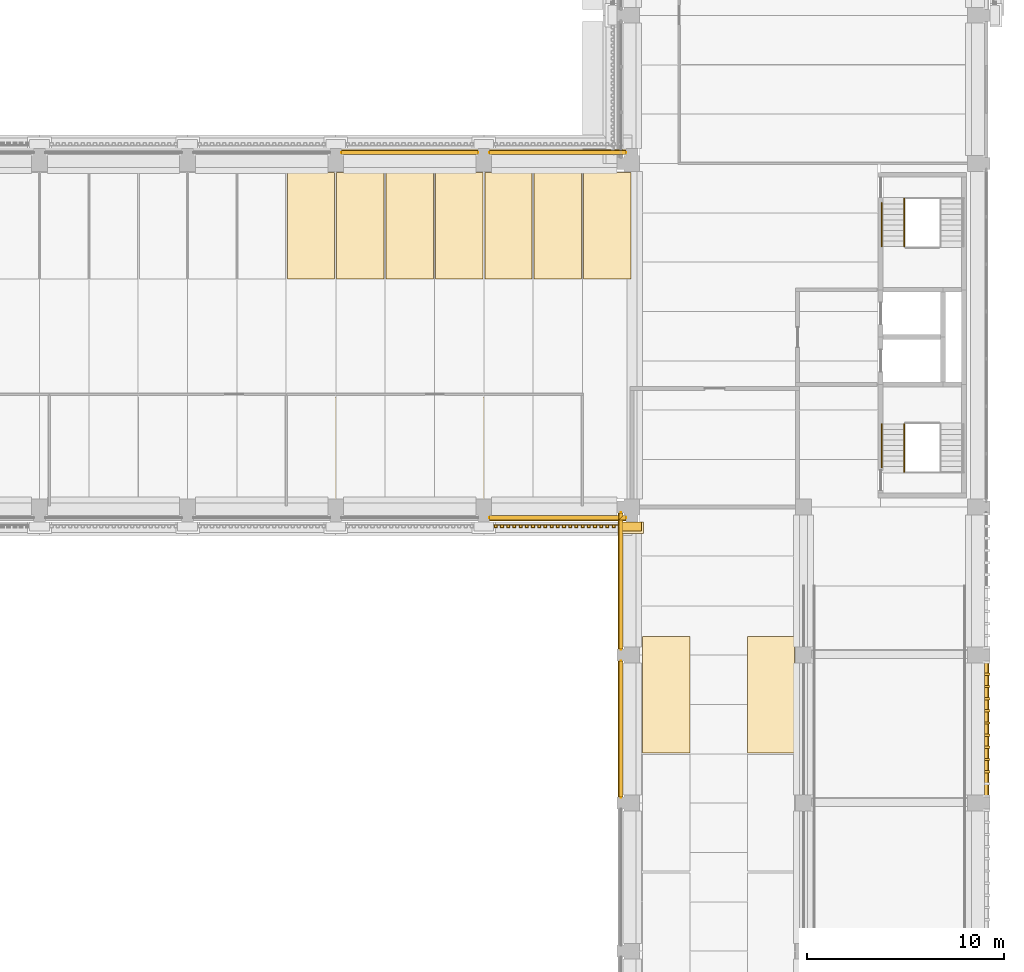
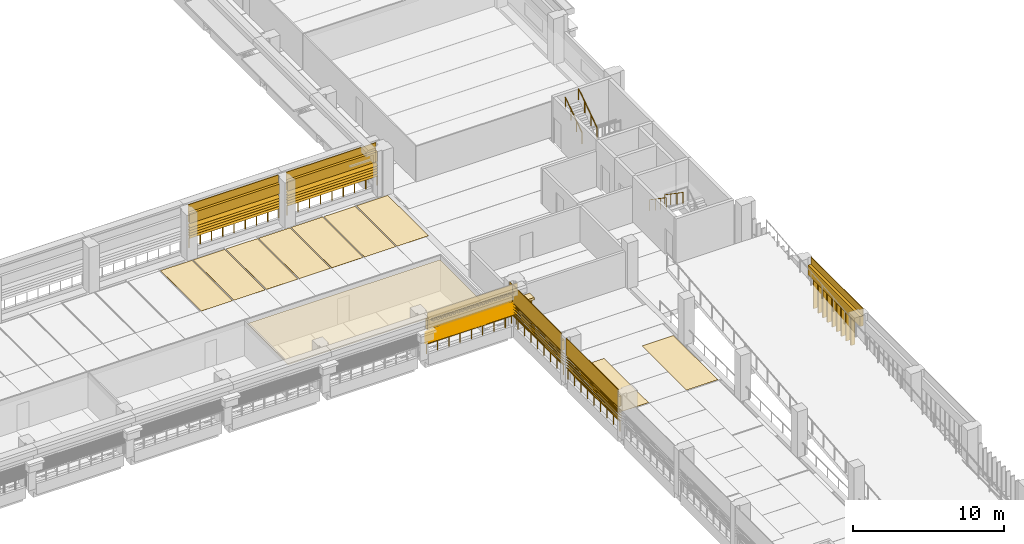
# One storey, part 61 of 71: 28 coverings, 25 shading devices, 9 railings.
"""IFC4 building model written with IfcOpenShell, lengths in metres."""

from ifc_helpers import new_model, si_unit, direction, frame, origin, origin_2d, place, context, subcontext, project, spatial, polyline, circle, outline, extrude, material, layer, layer_set, type_object, element, save


model = new_model("IFC4")

# Units and contexts
model_context = context("Model", 3, precision=1e-05, world=origin(), true_north=direction((0.0, 1.0)))
body_context = subcontext(model_context, "Body", "Model", "MODEL_VIEW")
ifc_project = project(units=[si_unit("LENGTHUNIT", "METRE"), si_unit("AREAUNIT", "SQUARE_METRE"), si_unit("VOLUMEUNIT", "CUBIC_METRE"), si_unit("PLANEANGLEUNIT", "RADIAN"), si_unit("MASSUNIT", "GRAM", prefix="KILO")], contexts=[model_context])

# Site, building, storey
site_placement = place(None, origin())
site = spatial("IfcSite", under=ifc_project, at=site_placement, CompositionType="ELEMENT")
building_placement = place(site_placement, origin())
building = spatial("IfcBuilding", under=site, at=building_placement, Name="Cour d'Honneur Mobility Palace", CompositionType="ELEMENT")
storey_placement = place(building_placement, frame((0.0, 0.0, 15.60009765625)))
storey = spatial("IfcBuildingStorey", under=building, at=storey_placement, Name="L04", CompositionType="ELEMENT", Elevation=15.60009765625)

# Railings
ifc_material_1 = material(Name="Painted steel", Category="steel")
railing_type_1 = type_object("IfcRailingType", Name="Balustrade", PredefinedType="BALUSTRADE", material=ifc_material_1)
railing_1_placement = place(storey_placement, frame((137.699951171875, 44.449951171875, 0.2998046875)))
element("IfcRailing", 1, at=railing_1_placement, inside=storey, type_object=railing_type_1, Name="Balustrade BAL-217", PredefinedType="BALUSTRADE", context=body_context, shape_type="SweptSolid", body=[
    extrude(circle(Radius=0.02392578125, at=origin_2d()), frame((0.0, 0.0, 0.77587890625), z_axis=(1.0, 0.0, 0.0), x_axis=(0.0, 1.0, 0.0)), (0.0, 0.0, 1.0), 6.900146484375),
    extrude(circle(Radius=0.02099609375, at=origin_2d()), origin(), (0.0, 0.0, 1.0), 0.751953125),
    extrude(circle(Radius=0.02099609375, at=origin_2d()), frame((0.862548828125, 0.0, 0.0)), (0.0, 0.0, 1.0), 0.751953125),
    extrude(circle(Radius=0.02099609375, at=origin_2d()), frame((1.72509765625, 0.0, 0.0)), (0.0, 0.0, 1.0), 0.751953125),
    extrude(circle(Radius=0.02099609375, at=origin_2d()), frame((2.587646484375, 0.0, 0.0)), (0.0, 0.0, 1.0), 0.751953125),
    extrude(circle(Radius=0.02099609375, at=origin_2d()), frame((3.4501953125, 0.0, 0.0)), (0.0, 0.0, 1.0), 0.751953125),
    extrude(circle(Radius=0.02099609375, at=origin_2d()), frame((4.3125, 0.0, 0.0)), (0.0, 0.0, 1.0), 0.751953125),
    extrude(circle(Radius=0.02099609375, at=origin_2d()), frame((5.175048828125, 0.0, 0.0)), (0.0, 0.0, 1.0), 0.751953125),
    extrude(circle(Radius=0.02099609375, at=origin_2d()), frame((6.03759765625, 0.0, 0.0)), (0.0, 0.0, 1.0), 0.751953125),
    extrude(circle(Radius=0.02099609375, at=origin_2d()), frame((6.900146484375, 0.0, 0.0)), (0.0, 0.0, 1.0), 0.751953125),
])
for number, where, name in (
    (2, (144.35009765625, 44.699951171875, 0.2998046875), "Balustrade BAL-218"),
    (3, (144.35009765625, 37.199951171875, 0.2998046875), "Balustrade BAL-219"),
):
    element("IfcRailing", number, at=place(storey_placement, frame(where)), inside=storey, type_object=railing_type_1, Name=name, PredefinedType="BALUSTRADE", context=body_context, shape_type="SweptSolid", body=[
        extrude(circle(Radius=0.02392578125, at=origin_2d()), frame((0.0, 0.0, 0.77587890625), z_axis=(0.0, -1.0, 0.0), x_axis=(1.0, 0.0, 0.0)), (0.0, 0.0, 1.0), 6.89990234375),
        extrude(circle(Radius=0.02099609375, at=origin_2d()), origin(), (0.0, 0.0, 1.0), 0.751953125),
        extrude(circle(Radius=0.02099609375, at=origin_2d()), frame((0.0, -0.862548828125, 0.0)), (0.0, 0.0, 1.0), 0.751953125),
        extrude(circle(Radius=0.02099609375, at=origin_2d()), frame((0.0, -1.72509765625, 0.0)), (0.0, 0.0, 1.0), 0.751953125),
        extrude(circle(Radius=0.02099609375, at=origin_2d()), frame((0.0, -2.58740234375, 0.0)), (0.0, 0.0, 1.0), 0.751953125),
        extrude(circle(Radius=0.02099609375, at=origin_2d()), frame((0.0, -3.449951171875, 0.0)), (0.0, 0.0, 1.0), 0.751953125),
        extrude(circle(Radius=0.02099609375, at=origin_2d()), frame((0.0, -4.3125, 0.0)), (0.0, 0.0, 1.0), 0.751953125),
        extrude(circle(Radius=0.02099609375, at=origin_2d()), frame((0.0, -5.1748046875, 0.0)), (0.0, 0.0, 1.0), 0.751953125),
        extrude(circle(Radius=0.02099609375, at=origin_2d()), frame((0.0, -6.037353515625, 0.0)), (0.0, 0.0, 1.0), 0.751953125),
        extrude(circle(Radius=0.02099609375, at=origin_2d()), frame((0.0, -6.89990234375, 0.0)), (0.0, 0.0, 1.0), 0.751953125),
    ])
for number, where, name in (
    (4, (144.60009765625, 62.949951171875, 0.2998046875), "Balustrade BAL-235"),
    (5, (137.10009765625, 62.949951171875, 0.2998046875), "Balustrade BAL-236"),
):
    element("IfcRailing", number, at=place(storey_placement, frame(where)), inside=storey, type_object=railing_type_1, Name=name, PredefinedType="BALUSTRADE", context=body_context, shape_type="SweptSolid", body=[
        extrude(circle(Radius=0.02392578125, at=origin_2d()), frame((0.0, 0.0, 0.77587890625), z_axis=(-1.0, 0.0, 0.0), x_axis=(0.0, -1.0, 0.0)), (0.0, 0.0, 1.0), 6.900146484375),
        extrude(circle(Radius=0.02099609375, at=origin_2d()), origin(), (0.0, 0.0, 1.0), 0.751953125),
        extrude(circle(Radius=0.02099609375, at=origin_2d()), frame((-0.862548828125, 0.0, 0.0)), (0.0, 0.0, 1.0), 0.751953125),
        extrude(circle(Radius=0.02099609375, at=origin_2d()), frame((-1.72509765625, 0.0, 0.0)), (0.0, 0.0, 1.0), 0.751953125),
        extrude(circle(Radius=0.02099609375, at=origin_2d()), frame((-2.587646484375, 0.0, 0.0)), (0.0, 0.0, 1.0), 0.751953125),
        extrude(circle(Radius=0.02099609375, at=origin_2d()), frame((-3.4501953125, 0.0, 0.0)), (0.0, 0.0, 1.0), 0.751953125),
        extrude(circle(Radius=0.02099609375, at=origin_2d()), frame((-4.3125, 0.0, 0.0)), (0.0, 0.0, 1.0), 0.751953125),
        extrude(circle(Radius=0.02099609375, at=origin_2d()), frame((-5.175048828125, 0.0, 0.0)), (0.0, 0.0, 1.0), 0.751953125),
        extrude(circle(Radius=0.02099609375, at=origin_2d()), frame((-6.03759765625, 0.0, 0.0)), (0.0, 0.0, 1.0), 0.751953125),
        extrude(circle(Radius=0.02099609375, at=origin_2d()), frame((-6.900146484375, 0.0, 0.0)), (0.0, 0.0, 1.0), 0.751953125),
    ])

# Covering
ifc_material_2 = material(Name="Cast limestone", Category="masonry")
ifc_layer_1 = layer(ifc_material_2, 0.14990234375)
ifc_layer_set_1 = layer_set([ifc_layer_1], Name="Cast limestone")
covering_type_1 = type_object("IfcCoveringType", Name="Dentil course", PredefinedType="CLADDING", material=ifc_layer_set_1)
covering_1_placement = place(storey_placement, frame((0.0, 0.0, 3.14990234375)))
element("IfcCovering", 6, at=covering_1_placement, inside=storey, type_object=covering_type_1, Name="Dentil course DC-82", PredefinedType="CLADDING", context=body_context, shape_type="SweptSolid", body=[
    extrude(outline(polyline([(137.85009765625, 44.10009765625), (144.449951171875, 44.10009765625), (144.449951171875, 44.070068359375), (144.449951171875, 44.070068359375), (144.371337890625, 44.070068359375), (144.371337890625, 43.949951171875), (144.21435546875, 43.949951171875), (144.21435546875, 44.070068359375), (144.1357421875, 44.070068359375), (144.1357421875, 44.070068359375), (144.05712890625, 44.070068359375), (144.05712890625, 43.949951171875), (143.89990234375, 43.949951171875), (143.89990234375, 44.070068359375), (143.821533203125, 44.070068359375), (143.821533203125, 44.070068359375), (143.742919921875, 44.070068359375), (143.742919921875, 43.949951171875), (143.585693359375, 43.949951171875), (143.585693359375, 44.070068359375), (143.507080078125, 44.070068359375), (143.507080078125, 44.070068359375), (143.428466796875, 44.070068359375), (143.428466796875, 43.949951171875), (143.271484375, 43.949951171875), (143.271484375, 44.070068359375), (143.19287109375, 44.070068359375), (143.19287109375, 44.070068359375), (143.1142578125, 44.070068359375), (143.1142578125, 43.949951171875), (142.95703125, 43.949951171875), (142.95703125, 44.070068359375), (142.878662109375, 44.070068359375), (142.878662109375, 44.070068359375), (142.800048828125, 44.070068359375), (142.800048828125, 43.949951171875), (142.642822265625, 43.949951171875), (142.642822265625, 44.070068359375), (142.564208984375, 44.070068359375), (142.564208984375, 44.070068359375), (142.485595703125, 44.070068359375), (142.485595703125, 43.949951171875), (142.32861328125, 43.949951171875), (142.32861328125, 44.070068359375), (142.25, 44.070068359375), (142.25, 44.070068359375), (142.17138671875, 44.070068359375), (142.17138671875, 43.949951171875), (142.014404296875, 43.949951171875), (142.014404296875, 44.070068359375), (141.935791015625, 44.070068359375), (141.935791015625, 44.070068359375), (141.857177734375, 44.070068359375), (141.857177734375, 43.949951171875), (141.699951171875, 43.949951171875), (141.699951171875, 44.070068359375), (141.621337890625, 44.070068359375), (141.621337890625, 44.070068359375), (141.54296875, 44.070068359375), (141.54296875, 43.949951171875), (141.3857421875, 43.949951171875), (141.3857421875, 44.070068359375), (141.30712890625, 44.070068359375), (141.30712890625, 44.070068359375), (141.228515625, 44.070068359375), (141.228515625, 43.949951171875), (141.071533203125, 43.949951171875), (141.071533203125, 44.070068359375), (140.992919921875, 44.070068359375), (140.992919921875, 44.070068359375), (140.914306640625, 44.070068359375), (140.914306640625, 43.949951171875), (140.757080078125, 43.949951171875), (140.757080078125, 44.070068359375), (140.678466796875, 44.070068359375), (140.678466796875, 44.070068359375), (140.60009765625, 44.070068359375), (140.60009765625, 43.949951171875), (140.44287109375, 43.949951171875), (140.44287109375, 44.070068359375), (140.3642578125, 44.070068359375), (140.3642578125, 44.070068359375), (140.28564453125, 44.070068359375), (140.28564453125, 43.949951171875), (140.128662109375, 43.949951171875), (140.128662109375, 44.070068359375), (140.050048828125, 44.070068359375), (140.050048828125, 44.070068359375), (139.971435546875, 44.070068359375), (139.971435546875, 43.949951171875), (139.814208984375, 43.949951171875), (139.814208984375, 44.070068359375), (139.735595703125, 44.070068359375), (139.735595703125, 44.070068359375), (139.6572265625, 44.070068359375), (139.6572265625, 43.949951171875), (139.5, 43.949951171875), (139.5, 44.070068359375), (139.42138671875, 44.070068359375), (139.42138671875, 44.070068359375), (139.3427734375, 44.070068359375), (139.3427734375, 43.949951171875), (139.185791015625, 43.949951171875), (139.185791015625, 44.070068359375), (139.107177734375, 44.070068359375), (139.107177734375, 44.070068359375), (139.028564453125, 44.070068359375), (139.028564453125, 43.949951171875), (138.871337890625, 43.949951171875), (138.871337890625, 44.070068359375), (138.79296875, 44.070068359375), (138.79296875, 44.070068359375), (138.71435546875, 44.070068359375), (138.71435546875, 43.949951171875), (138.55712890625, 43.949951171875), (138.55712890625, 44.070068359375), (138.478515625, 44.070068359375), (138.478515625, 44.070068359375), (138.39990234375, 44.070068359375), (138.39990234375, 43.949951171875), (138.242919921875, 43.949951171875), (138.242919921875, 44.070068359375), (138.164306640625, 44.070068359375), (138.164306640625, 44.070068359375), (138.085693359375, 44.070068359375), (138.085693359375, 43.949951171875), (137.928466796875, 43.949951171875), (137.928466796875, 44.070068359375), (137.85009765625, 44.070068359375), (137.85009765625, 44.10009765625)])), origin(), (0.0, 0.0, 1.0), 0.14990234375),
])

# Railings
ifc_material_3 = material(Name="Stainless steel", Category="steel")
railing_type_2 = type_object("IfcRailingType", Name="Handrail round 50", PredefinedType="HANDRAIL", material=ifc_material_3)
railing_2_placement = place(storey_placement, frame((158.699951171875, 49.205078125, 2.034912109375)))
element("IfcRailing", 7, at=railing_2_placement, inside=storey, type_object=railing_type_2, Name="Handrail ST-CE1", PredefinedType="HANDRAIL", context=body_context, shape_type="SweptSolid", body=[
    extrude(circle(Radius=0.02490234375, at=origin_2d()), frame((0.0, 0.0, 0.89501953125), z_axis=(0.0, -0.824945253146, 0.565212640793), x_axis=(1.0, 0.0, 0.0)), (0.0, 0.0, 1.0), 2.94580078125),
    extrude(circle(Radius=0.02099609375, at=origin_2d()), origin(), (0.0, 0.0, 1.0), 0.869873046875),
    extrude(circle(Radius=0.02099609375, at=origin_2d()), frame((0.0, -0.81005859375, 0.554931640625)), (0.0, 0.0, 1.0), 0.869873046875),
    extrude(circle(Radius=0.02099609375, at=origin_2d()), frame((0.0, -1.6201171875, 1.110107421875)), (0.0, 0.0, 1.0), 0.869873046875),
    extrude(circle(Radius=0.02099609375, at=origin_2d()), frame((0.0, -2.43017578125, 1.6650390625)), (0.0, 0.0, 1.0), 0.869873046875),
])
railing_3_placement = place(storey_placement, frame((157.550048828125, 49.205078125, 2.034912109375)))
element("IfcRailing", 8, at=railing_3_placement, inside=storey, type_object=railing_type_2, Name="Handrail ST-CE1", PredefinedType="HANDRAIL", context=body_context, shape_type="SweptSolid", body=[
    extrude(circle(Radius=0.02490234375, at=origin_2d()), frame((0.0, 0.0, 0.89501953125), z_axis=(0.0, -0.824957609129, 0.565194606432), x_axis=(1.0, 0.0, 0.0)), (0.0, 0.0, 1.0), 2.6728515625),
    extrude(circle(Radius=0.02099609375, at=origin_2d()), origin(), (0.0, 0.0, 1.0), 0.869873046875),
    extrude(circle(Radius=0.02099609375, at=origin_2d()), frame((0.0, -0.735107421875, 0.503662109375)), (0.0, 0.0, 1.0), 0.869873046875),
    extrude(circle(Radius=0.02099609375, at=origin_2d()), frame((0.0, -1.469970703125, 1.007080078125)), (0.0, 0.0, 1.0), 0.869873046875),
    extrude(circle(Radius=0.02099609375, at=origin_2d()), frame((0.0, -2.205078125, 1.5107421875)), (0.0, 0.0, 1.0), 0.869873046875),
])
railing_4_placement = place(storey_placement, frame((158.699951171875, 58.195068359375, 2.034912109375)))
element("IfcRailing", 9, at=railing_4_placement, inside=storey, type_object=railing_type_2, Name="Handrail ST-CE2", PredefinedType="HANDRAIL", context=body_context, shape_type="SweptSolid", body=[
    extrude(circle(Radius=0.02490234375, at=origin_2d()), frame((0.0, 0.0, 0.89501953125), z_axis=(0.0, 0.8249187745, 0.56525128525), x_axis=(-1.0, 0.0, 0.0)), (0.0, 0.0, 1.0), 2.945556640625),
    extrude(circle(Radius=0.02099609375, at=origin_2d()), origin(), (0.0, 0.0, 1.0), 0.869873046875),
    extrude(circle(Radius=0.02099609375, at=origin_2d()), frame((0.0, 0.81005859375, 0.554931640625)), (0.0, 0.0, 1.0), 0.869873046875),
    extrude(circle(Radius=0.02099609375, at=origin_2d()), frame((0.0, 1.619873046875, 1.110107421875)), (0.0, 0.0, 1.0), 0.869873046875),
    extrude(circle(Radius=0.02099609375, at=origin_2d()), frame((0.0, 2.429931640625, 1.6650390625)), (0.0, 0.0, 1.0), 0.869873046875),
])
railing_5_placement = place(storey_placement, frame((157.550048828125, 58.195068359375, 2.034912109375)))
element("IfcRailing", 10, at=railing_5_placement, inside=storey, type_object=railing_type_2, Name="Handrail ST-CE2", PredefinedType="HANDRAIL", context=body_context, shape_type="SweptSolid", body=[
    extrude(circle(Radius=0.02490234375, at=origin_2d()), frame((0.0, 0.0, 0.89501953125), z_axis=(0.0, 0.824928428624, 0.565237195917), x_axis=(-1.0, 0.0, 0.0)), (0.0, 0.0, 1.0), 2.6728515625),
    extrude(circle(Radius=0.02099609375, at=origin_2d()), origin(), (0.0, 0.0, 1.0), 0.869873046875),
    extrude(circle(Radius=0.02099609375, at=origin_2d()), frame((0.0, 0.73486328125, 0.503662109375)), (0.0, 0.0, 1.0), 0.869873046875),
    extrude(circle(Radius=0.02099609375, at=origin_2d()), frame((0.0, 1.469970703125, 1.007080078125)), (0.0, 0.0, 1.0), 0.869873046875),
    extrude(circle(Radius=0.02099609375, at=origin_2d()), frame((0.0, 2.204833984375, 1.5107421875)), (0.0, 0.0, 1.0), 0.869873046875),
])

# Coverings
ifc_material_4 = material(Name="Parking marking paint")
ifc_layer_2 = layer(ifc_material_4, 0.0048828125)
ifc_layer_set_2 = layer_set([ifc_layer_2], Name="Parking marking paint")
covering_type_2 = type_object("IfcCoveringType", Name="Parking bay marking", PredefinedType="FLOORING", material=ifc_layer_set_2)
covering_2_placement = place(storey_placement, origin())
element("IfcCovering", 11, at=covering_2_placement, inside=storey, type_object=covering_type_2, Name="Parking bay marking L04 32", PredefinedType="FLOORING", context=body_context, shape_type="SweptSolid", body=[
    extrude(outline(polyline([(129.85009765625, 56.550048828125), (127.449951171875, 56.550048828125), (127.449951171875, 61.949951171875), (129.85009765625, 61.949951171875), (129.85009765625, 56.550048828125)])), origin(), (0.0, 0.0, 1.0), 0.0048828125),
])
covering_3_placement = place(storey_placement, origin())
element("IfcCovering", 12, at=covering_3_placement, inside=storey, type_object=covering_type_2, Name="Parking bay marking L04 33", PredefinedType="FLOORING", context=body_context, shape_type="SweptSolid", body=[
    extrude(outline(polyline([(132.35009765625, 56.550048828125), (129.949951171875, 56.550048828125), (129.949951171875, 61.949951171875), (132.35009765625, 61.949951171875), (132.35009765625, 56.550048828125)])), origin(), (0.0, 0.0, 1.0), 0.0048828125),
])
covering_4_placement = place(storey_placement, origin())
element("IfcCovering", 13, at=covering_4_placement, inside=storey, type_object=covering_type_2, Name="Parking bay marking L04 34", PredefinedType="FLOORING", context=body_context, shape_type="SweptSolid", body=[
    extrude(outline(polyline([(134.85009765625, 56.550048828125), (132.449951171875, 56.550048828125), (132.449951171875, 61.949951171875), (134.85009765625, 61.949951171875), (134.85009765625, 56.550048828125)])), origin(), (0.0, 0.0, 1.0), 0.0048828125),
])
covering_5_placement = place(storey_placement, origin())
element("IfcCovering", 14, at=covering_5_placement, inside=storey, type_object=covering_type_2, Name="Parking bay marking L04 35", PredefinedType="FLOORING", context=body_context, shape_type="SweptSolid", body=[
    extrude(outline(polyline([(137.35009765625, 56.550048828125), (134.949951171875, 56.550048828125), (134.949951171875, 61.949951171875), (137.35009765625, 61.949951171875), (137.35009765625, 56.550048828125)])), origin(), (0.0, 0.0, 1.0), 0.0048828125),
])
covering_6_placement = place(storey_placement, origin())
element("IfcCovering", 15, at=covering_6_placement, inside=storey, type_object=covering_type_2, Name="Parking bay marking L04 36", PredefinedType="FLOORING", context=body_context, shape_type="SweptSolid", body=[
    extrude(outline(polyline([(139.85009765625, 56.550048828125), (137.449951171875, 56.550048828125), (137.449951171875, 61.949951171875), (139.85009765625, 61.949951171875), (139.85009765625, 56.550048828125)])), origin(), (0.0, 0.0, 1.0), 0.0048828125),
])
covering_7_placement = place(storey_placement, origin())
element("IfcCovering", 16, at=covering_7_placement, inside=storey, type_object=covering_type_2, Name="Parking bay marking L04 38", PredefinedType="FLOORING", context=body_context, shape_type="SweptSolid", body=[
    extrude(outline(polyline([(142.35009765625, 56.550048828125), (139.949951171875, 56.550048828125), (139.949951171875, 61.949951171875), (142.35009765625, 61.949951171875), (142.35009765625, 56.550048828125)])), origin(), (0.0, 0.0, 1.0), 0.0048828125),
])
covering_8_placement = place(storey_placement, origin())
element("IfcCovering", 17, at=covering_8_placement, inside=storey, type_object=covering_type_2, Name="Parking bay marking L04 39", PredefinedType="FLOORING", context=body_context, shape_type="SweptSolid", body=[
    extrude(outline(polyline([(144.85009765625, 56.550048828125), (142.449951171875, 56.550048828125), (142.449951171875, 61.949951171875), (144.85009765625, 61.949951171875), (144.85009765625, 56.550048828125)])), origin(), (0.0, 0.0, 1.0), 0.0048828125),
])
covering_9_placement = place(storey_placement, origin())
element("IfcCovering", 18, at=covering_9_placement, inside=storey, type_object=covering_type_2, Name="Parking bay marking L04 47", PredefinedType="FLOORING", context=body_context, shape_type="SweptSolid", body=[
    extrude(outline(polyline([(153.14990234375, 32.550048828125), (150.75, 32.550048828125), (150.75, 38.449951171875), (153.14990234375, 38.449951171875), (153.14990234375, 32.550048828125)])), origin(), (0.0, 0.0, 1.0), 0.0048828125),
])
covering_10_placement = place(storey_placement, origin())
element("IfcCovering", 19, at=covering_10_placement, inside=storey, type_object=covering_type_2, Name="Parking bay marking L04 51", PredefinedType="FLOORING", context=body_context, shape_type="SweptSolid", body=[
    extrude(outline(polyline([(147.85009765625, 32.550048828125), (145.449951171875, 32.550048828125), (145.449951171875, 38.449951171875), (147.85009765625, 38.449951171875), (147.85009765625, 32.550048828125)])), origin(), (0.0, 0.0, 1.0), 0.0048828125),
])
ifc_material_5 = material(Name="Cast limestone", Category="masonry")
ifc_layer_3 = layer(ifc_material_5, 0.1201171875)
ifc_layer_set_3 = layer_set([ifc_layer_3], Name="Cast limestone")
covering_type_3 = type_object("IfcCoveringType", Name="Pilaster capital", PredefinedType="CLADDING", material=ifc_layer_set_3)
covering_11_placement = place(storey_placement, frame((0.0, 0.0, 1.7998046875)))
element("IfcCovering", 20, at=covering_11_placement, inside=storey, type_object=covering_type_3, Name="Pilaster capital PK-53", PredefinedType="CLADDING", context=body_context, shape_type="SweptSolid", body=[
    extrude(outline(polyline([(144.39990234375, 44.25), (145.39990234375, 44.25), (145.39990234375, 43.780029296875), (144.39990234375, 43.780029296875), (144.39990234375, 44.25)])), origin(), (0.0, 0.0, 1.0), 0.6201171875),
])
covering_12_placement = place(storey_placement, frame((0.0, 0.0, 2.419921875)))
element("IfcCovering", 21, at=covering_12_placement, inside=storey, type_object=covering_type_3, Name="Pilaster capital PK-54", PredefinedType="CLADDING", context=body_context, shape_type="SweptSolid", body=[
    extrude(outline(polyline([(144.300048828125, 44.25), (145.5, 44.25), (145.5, 43.64990234375), (144.300048828125, 43.64990234375), (144.300048828125, 44.25)])), origin(), (0.0, 0.0, 1.0), 0.179931640625),
])
ifc_material_6 = material(Name="Cast limestone", Category="masonry")
ifc_layer_4 = layer(ifc_material_6, 0.1201171875)
ifc_layer_set_4 = layer_set([ifc_layer_4], Name="Cast limestone")
covering_type_4 = type_object("IfcCoveringType", Name="Ramp screen fin", PredefinedType="CLADDING", material=ifc_layer_set_4)
covering_13_placement = place(storey_placement, origin())
element("IfcCovering", 22, at=covering_13_placement, inside=storey, type_object=covering_type_4, Name="Ramp screen fin E5.4 L04 3", PredefinedType="CLADDING", context=body_context, shape_type="SweptSolid", body=[
    extrude(outline(polyline([(162.75, 31.53271484375), (162.75, 31.65283203125), (163.050048828125, 31.65283203125), (163.050048828125, 31.53271484375), (162.75, 31.53271484375)])), origin(), (0.0, 0.0, 1.0), 2.2998046875),
])
covering_14_placement = place(storey_placement, origin())
element("IfcCovering", 23, at=covering_14_placement, inside=storey, type_object=covering_type_4, Name="Ramp screen fin E5.4 L04 4", PredefinedType="CLADDING", context=body_context, shape_type="SweptSolid", body=[
    extrude(outline(polyline([(162.75, 32.149169921875), (162.75, 32.26904296875), (163.050048828125, 32.26904296875), (163.050048828125, 32.149169921875), (162.75, 32.149169921875)])), origin(), (0.0, 0.0, 1.0), 2.2998046875),
])
covering_15_placement = place(storey_placement, origin())
element("IfcCovering", 24, at=covering_15_placement, inside=storey, type_object=covering_type_4, Name="Ramp screen fin E5.4 L04 5", PredefinedType="CLADDING", context=body_context, shape_type="SweptSolid", body=[
    extrude(outline(polyline([(162.75, 32.765380859375), (162.75, 32.885498046875), (163.050048828125, 32.885498046875), (163.050048828125, 32.765380859375), (162.75, 32.765380859375)])), origin(), (0.0, 0.0, 1.0), 2.2998046875),
])
covering_16_placement = place(storey_placement, origin())
element("IfcCovering", 25, at=covering_16_placement, inside=storey, type_object=covering_type_4, Name="Ramp screen fin E5.4 L04 6", PredefinedType="CLADDING", context=body_context, shape_type="SweptSolid", body=[
    extrude(outline(polyline([(162.75, 33.3818359375), (162.75, 33.501708984375), (163.050048828125, 33.501708984375), (163.050048828125, 33.3818359375), (162.75, 33.3818359375)])), origin(), (0.0, 0.0, 1.0), 2.2998046875),
])
covering_17_placement = place(storey_placement, origin())
element("IfcCovering", 26, at=covering_17_placement, inside=storey, type_object=covering_type_4, Name="Ramp screen fin E5.4 L04 7", PredefinedType="CLADDING", context=body_context, shape_type="SweptSolid", body=[
    extrude(outline(polyline([(162.75, 33.998291015625), (162.75, 34.1181640625), (163.050048828125, 34.1181640625), (163.050048828125, 33.998291015625), (162.75, 33.998291015625)])), origin(), (0.0, 0.0, 1.0), 2.2998046875),
])
covering_18_placement = place(storey_placement, origin())
element("IfcCovering", 27, at=covering_18_placement, inside=storey, type_object=covering_type_4, Name="Ramp screen fin E5.4 L04 8", PredefinedType="CLADDING", context=body_context, shape_type="SweptSolid", body=[
    extrude(outline(polyline([(162.75, 34.614501953125), (162.75, 34.734619140625), (163.050048828125, 34.734619140625), (163.050048828125, 34.614501953125), (162.75, 34.614501953125)])), origin(), (0.0, 0.0, 1.0), 2.2998046875),
])
covering_19_placement = place(storey_placement, origin())
element("IfcCovering", 28, at=covering_19_placement, inside=storey, type_object=covering_type_4, Name="Ramp screen fin E5.4 L04 9", PredefinedType="CLADDING", context=body_context, shape_type="SweptSolid", body=[
    extrude(outline(polyline([(162.75, 35.23095703125), (162.75, 35.350830078125), (163.050048828125, 35.350830078125), (163.050048828125, 35.23095703125), (162.75, 35.23095703125)])), origin(), (0.0, 0.0, 1.0), 2.2998046875),
])
covering_20_placement = place(storey_placement, origin())
element("IfcCovering", 29, at=covering_20_placement, inside=storey, type_object=covering_type_4, Name="Ramp screen fin E5.4 L04 10", PredefinedType="CLADDING", context=body_context, shape_type="SweptSolid", body=[
    extrude(outline(polyline([(162.75, 35.84716796875), (162.75, 35.96728515625), (163.050048828125, 35.96728515625), (163.050048828125, 35.84716796875), (162.75, 35.84716796875)])), origin(), (0.0, 0.0, 1.0), 2.2998046875),
])
covering_21_placement = place(storey_placement, origin())
element("IfcCovering", 30, at=covering_21_placement, inside=storey, type_object=covering_type_4, Name="Ramp screen fin E5.4 L04 11", PredefinedType="CLADDING", context=body_context, shape_type="SweptSolid", body=[
    extrude(outline(polyline([(162.75, 36.463623046875), (162.75, 36.583740234375), (163.050048828125, 36.583740234375), (163.050048828125, 36.463623046875), (162.75, 36.463623046875)])), origin(), (0.0, 0.0, 1.0), 2.2998046875),
])
ifc_material_7 = material(Name="Cast limestone", Category="masonry")
ifc_layer_5 = layer(ifc_material_7, 0.25)
ifc_layer_set_5 = layer_set([ifc_layer_5], Name="Cast limestone")
covering_type_5 = type_object("IfcCoveringType", Name="Spandrel cladding", PredefinedType="CLADDING", material=ifc_layer_set_5)
for number, where, z_axis, x_axis, name in (
    (31, (137.699951171875, 44.550048828125, 2.2998046875), (-1.0, 0.0, 0.0), (0.0, -1.0, 0.0), "Spandrel cladding SK-293"),
    (32, (144.449951171875, 44.699951171875, 2.2998046875), (0.0, 1.0, 0.0), (-1.0, 0.0, 0.0), "Spandrel cladding SK-294"),
    (33, (144.449951171875, 37.199951171875, 2.2998046875), (0.0, 1.0, 0.0), (-1.0, 0.0, 0.0), "Spandrel cladding SK-295"),
    (34, (162.75, 30.300048828125, 2.2998046875), (0.0, -1.0, 0.0), (1.0, 0.0, 0.0), "Spandrel cladding SK-301"),
    (35, (144.60009765625, 62.85009765625, 2.2998046875), (1.0, 0.0, 0.0), (0.0, 1.0, 0.0), "Spandrel cladding SK-314"),
    (36, (137.10009765625, 62.85009765625, 2.2998046875), (1.0, 0.0, 0.0), (0.0, 1.0, 0.0), "Spandrel cladding SK-315"),
):
    element("IfcCovering", number, at=place(storey_placement, frame(where, z_axis=z_axis, x_axis=x_axis)), inside=storey, type_object=covering_type_5, Name=name, PredefinedType="CLADDING", context=body_context, shape_type="SweptSolid", body=[
        extrude(outline(polyline([(0.0, 0.0), (0.25, 0.0), (0.25, 1.400146484375), (0.199951171875, 1.400146484375), (0.199951171875, 0.800048828125), (0.0, 0.800048828125), (0.0, 0.0)])), origin(), (0.0, 0.0, -1.0), 6.89990234375),
    ])
ifc_material_8 = material(Name="Suspended ceiling")
ifc_layer_6 = layer(ifc_material_8, 0.030029296875)
ifc_layer_set_6 = layer_set([ifc_layer_6], Name="Suspended ceiling")
covering_type_6 = type_object("IfcCoveringType", Name="Suspended ceiling", PredefinedType="CEILING", material=ifc_layer_set_6)
covering_22_placement = place(storey_placement, frame((0.0, 0.0, 2.5498046875)))
element("IfcCovering", 37, at=covering_22_placement, inside=storey, type_object=covering_type_6, Name="Ceiling Travel Information Office", PredefinedType="CEILING", context=body_context, shape_type="SweptSolid", body=[
    extrude(outline(polyline([(142.280029296875, 45.1201171875), (127.52001953125, 45.1201171875), (127.52001953125, 50.580078125), (142.280029296875, 50.580078125), (142.280029296875, 45.1201171875)])), origin(), (0.0, 0.0, 1.0), 0.030029296875),
])

# Shading devices
ifc_material_9 = material(Name="Terracotta", Category="masonry")
ifc_layer_7 = layer(ifc_material_9, 0.02490234375)
ifc_layer_set_7 = layer_set([ifc_layer_7], Name="Terracotta")
shading_device_type = type_object("IfcShadingDeviceType", Name="Terracotta louvre blade", PredefinedType="JALOUSIE", material=ifc_layer_set_7)
for number, where, z_axis, x_axis, name in (
    (38, (144.4560546875, 44.699951171875, 1.099853515625), (0.707106781187, 0.0, 0.707106781187), (0.0, -1.0, 0.0), "Louvre blade LV-1 W3.0 L04 1"),
    (39, (144.4560546875, 44.699951171875, 1.31201171875), (0.707106781187, 0.0, 0.707106781187), (0.0, -1.0, 0.0), "Louvre blade LV-1 W3.0 L04 2"),
    (40, (144.4560546875, 44.699951171875, 1.524169921875), (0.707106781187, 0.0, 0.707106781187), (0.0, -1.0, 0.0), "Louvre blade LV-1 W3.0 L04 3"),
    (41, (144.4560546875, 44.699951171875, 1.736328125), (0.707106781187, 0.0, 0.707106781187), (0.0, -1.0, 0.0), "Louvre blade LV-1 W3.0 L04 4"),
    (42, (144.4560546875, 44.699951171875, 1.948486328125), (0.707106781187, 0.0, 0.707106781187), (0.0, -1.0, 0.0), "Louvre blade LV-1 W3.0 L04 5"),
    (43, (144.4560546875, 37.199951171875, 1.099853515625), (0.707106781187, 0.0, 0.707106781187), (0.0, -1.0, 0.0), "Louvre blade LV-1 W3.1 L04 1"),
    (44, (144.4560546875, 37.199951171875, 1.31201171875), (0.707106781187, 0.0, 0.707106781187), (0.0, -1.0, 0.0), "Louvre blade LV-1 W3.1 L04 2"),
    (45, (144.4560546875, 37.199951171875, 1.524169921875), (0.707106781187, 0.0, 0.707106781187), (0.0, -1.0, 0.0), "Louvre blade LV-1 W3.1 L04 3"),
    (46, (144.4560546875, 37.199951171875, 1.736328125), (0.707106781187, 0.0, 0.707106781187), (0.0, -1.0, 0.0), "Louvre blade LV-1 W3.1 L04 4"),
    (47, (144.4560546875, 37.199951171875, 1.948486328125), (0.707106781187, 0.0, 0.707106781187), (0.0, -1.0, 0.0), "Louvre blade LV-1 W3.1 L04 5"),
):
    element("IfcShadingDevice", number, at=place(storey_placement, frame(where, z_axis=z_axis, x_axis=x_axis)), inside=storey, type_object=shading_device_type, Name=name, PredefinedType="JALOUSIE", context=body_context, shape_type="SweptSolid", body=[
        extrude(outline(polyline([(0.0, 0.0), (6.89990234375, 0.0), (6.89990234375, -0.300037008228081), (0.0, -0.300037008228081), (0.0, 0.0)])), origin(), (0.0, 0.0, -1.0), 0.02490234375),
    ])
for number, where, z_axis, x_axis, name in (
    (48, (137.699951171875, 44.55615234375, 1.099853515625), (0.0, 0.707106781187, 0.707106781187), (1.0, 0.0, 0.0), "Louvre blade LV-1 S2.16 L04 1"),
    (49, (137.699951171875, 44.55615234375, 1.31201171875), (0.0, 0.707106781187, 0.707106781187), (1.0, 0.0, 0.0), "Louvre blade LV-1 S2.16 L04 2"),
    (50, (137.699951171875, 44.55615234375, 1.524169921875), (0.0, 0.707106781187, 0.707106781187), (1.0, 0.0, 0.0), "Louvre blade LV-1 S2.16 L04 3"),
    (51, (137.699951171875, 44.55615234375, 1.736328125), (0.0, 0.707106781187, 0.707106781187), (1.0, 0.0, 0.0), "Louvre blade LV-1 S2.16 L04 4"),
    (52, (137.699951171875, 44.55615234375, 1.948486328125), (0.0, 0.707106781187, 0.707106781187), (1.0, 0.0, 0.0), "Louvre blade LV-1 S2.16 L04 5"),
    (53, (144.60009765625, 62.843994140625, 1.099853515625), (0.0, -0.707106781187, 0.707106781187), (-1.0, 0.0, 0.0), "Louvre blade LV-1 N8.0 L04 1"),
    (54, (144.60009765625, 62.843994140625, 1.31201171875), (0.0, -0.707106781187, 0.707106781187), (-1.0, 0.0, 0.0), "Louvre blade LV-1 N8.0 L04 2"),
    (55, (144.60009765625, 62.843994140625, 1.524169921875), (0.0, -0.707106781187, 0.707106781187), (-1.0, 0.0, 0.0), "Louvre blade LV-1 N8.0 L04 3"),
    (56, (144.60009765625, 62.843994140625, 1.736328125), (0.0, -0.707106781187, 0.707106781187), (-1.0, 0.0, 0.0), "Louvre blade LV-1 N8.0 L04 4"),
    (57, (144.60009765625, 62.843994140625, 1.948486328125), (0.0, -0.707106781187, 0.707106781187), (-1.0, 0.0, 0.0), "Louvre blade LV-1 N8.0 L04 5"),
    (58, (137.10009765625, 62.843994140625, 1.099853515625), (0.0, -0.707106781187, 0.707106781187), (-1.0, 0.0, 0.0), "Louvre blade LV-1 N8.1 L04 1"),
    (59, (137.10009765625, 62.843994140625, 1.31201171875), (0.0, -0.707106781187, 0.707106781187), (-1.0, 0.0, 0.0), "Louvre blade LV-1 N8.1 L04 2"),
    (60, (137.10009765625, 62.843994140625, 1.524169921875), (0.0, -0.707106781187, 0.707106781187), (-1.0, 0.0, 0.0), "Louvre blade LV-1 N8.1 L04 3"),
    (61, (137.10009765625, 62.843994140625, 1.736328125), (0.0, -0.707106781187, 0.707106781187), (-1.0, 0.0, 0.0), "Louvre blade LV-1 N8.1 L04 4"),
    (62, (137.10009765625, 62.843994140625, 1.948486328125), (0.0, -0.707106781187, 0.707106781187), (-1.0, 0.0, 0.0), "Louvre blade LV-1 N8.1 L04 5"),
):
    element("IfcShadingDevice", number, at=place(storey_placement, frame(where, z_axis=z_axis, x_axis=x_axis)), inside=storey, type_object=shading_device_type, Name=name, PredefinedType="JALOUSIE", context=body_context, shape_type="SweptSolid", body=[
        extrude(outline(polyline([(0.0, 0.0), (6.900146484375, 0.0), (6.900146484375, -0.300037008228081), (0.0, -0.300037008228081), (0.0, 0.0)])), origin(), (0.0, 0.0, -1.0), 0.02490234375),
    ])

save(model, "model.ifc")
